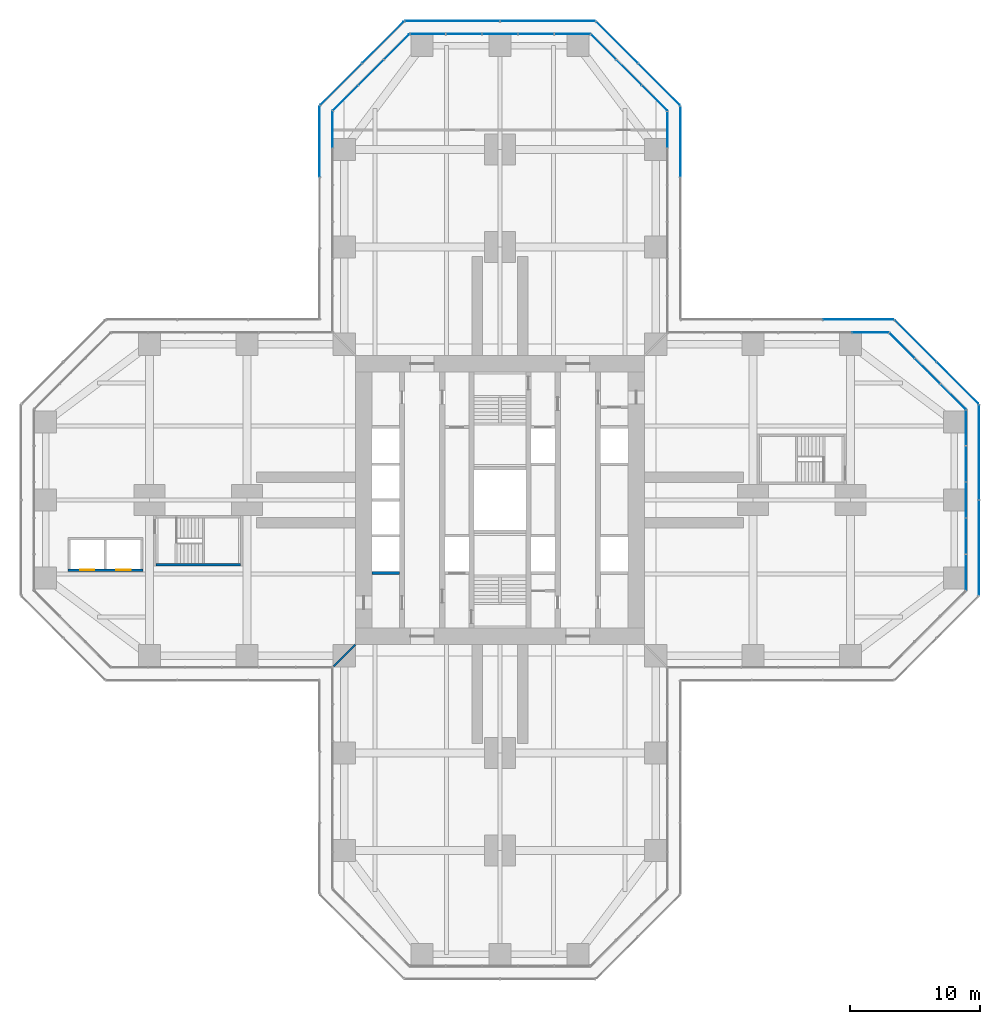
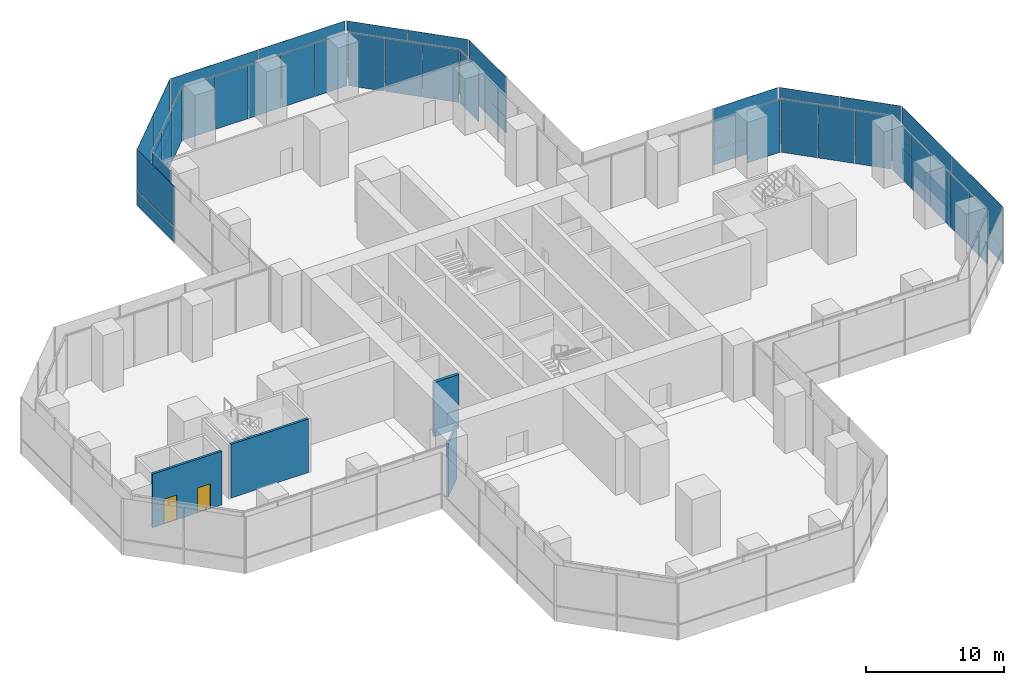
# One storey, part 16 of 23: 48 plates, 4 walls, 2 doors, 2 openings, 16 elements without a shape of their own.
"""IFC4 building model written with IfcOpenShell, lengths in metres."""

from ifc_helpers import new_model, si_unit, direction, frame, frame_2d, origin, origin_2d, place, context, subcontext, project, spatial, rectangle, extrude, material, layer, layer_set, type_object, element, fill, aggregate, save


model = new_model("IFC4")

# Units and contexts
model_context = context("Model", 3, precision=1e-05, world=origin(), true_north=direction((0.0, 1.0)))
body_context = subcontext(model_context, "Body", "Model", "MODEL_VIEW")
ifc_project = project(units=[si_unit("LENGTHUNIT", "METRE"), si_unit("AREAUNIT", "SQUARE_METRE"), si_unit("VOLUMEUNIT", "CUBIC_METRE"), si_unit("PLANEANGLEUNIT", "RADIAN"), si_unit("MASSUNIT", "GRAM", prefix="KILO")], contexts=[model_context])

# Site, building, storey
site_placement = place(None, origin())
site = spatial("IfcSite", under=ifc_project, at=site_placement, CompositionType="ELEMENT")
building_placement = place(site_placement, origin())
building = spatial("IfcBuilding", under=site, at=building_placement, Name="Mizan Broadcast Tower", CompositionType="ELEMENT")
storey_placement = place(building_placement, frame((0.0, 0.0, 28.0)))
storey = spatial("IfcBuildingStorey", under=building, at=storey_placement, Name="L04", CompositionType="ELEMENT", Elevation=28.0)

# Curtain wall, plates
ifc_material_1 = material(Name="Aluminium framed glazing", Category="aluminium")
curtain_wall_type_1 = type_object("IfcCurtainWallType", Name="OUTER SKIN", PredefinedType="USERDEFINED", material=ifc_material_1)
curtain_wall_1_placement = place(storey_placement, origin())
curtain_wall_1 = element("IfcCurtainWall", 1, at=curtain_wall_1_placement, inside=storey, type_object=curtain_wall_type_1, Name="Outer skin L04 E end", ObjectType="OUTER SKIN", PredefinedType="USERDEFINED")
ifc_material_2 = material(Name="Laminated clear glass", Category="glass")
ifc_layer_1 = layer(ifc_material_2, 0.02001953125)
ifc_layer_set_1 = layer_set([ifc_layer_1], Name="Laminated clear glass")
plate_type_1 = type_object("IfcPlateType", Name="OUTER SKIN CLEAR GLASS", PredefinedType="CURTAIN_PANEL", material=ifc_layer_set_1)
plate_1_placement = place(storey_placement, frame((36.89990234375, -3.66650390625, 0.0), z_axis=(0.0, 0.0, 1.0), x_axis=(0.0, 1.0, 0.0)))
plate_1 = element("IfcPlate", 2, at=plate_1_placement, type_object=plate_type_1, Name="Outer skin L04 E end panel 1.1", PredefinedType="CURTAIN_PANEL", context=body_context, shape_type="SweptSolid", body=[
    extrude(rectangle(XDim=7.252685546875, YDim=0.02001953125, at=origin_2d()), origin(), (0.0, 0.0, 1.0), 1.3701171875),
])
plate_2_placement = place(storey_placement, frame((36.89990234375, -3.66650390625, 1.43017578125), z_axis=(0.0, 0.0, 1.0), x_axis=(0.0, 1.0, 0.0)))
plate_2 = element("IfcPlate", 3, at=plate_2_placement, type_object=plate_type_1, Name="Outer skin L04 E end panel 1.2", PredefinedType="CURTAIN_PANEL", context=body_context, shape_type="SweptSolid", body=[
    extrude(rectangle(XDim=7.252685546875, YDim=0.02001953125, at=origin_2d()), origin(), (0.0, 0.0, 1.0), 3.570068359375),
])

curtain_wall_2_placement = place(storey_placement, origin())
curtain_wall_2 = element("IfcCurtainWall", 4, at=curtain_wall_2_placement, inside=storey, type_object=curtain_wall_type_1, Name="Outer skin L04 E chamfer", ObjectType="OUTER SKIN", PredefinedType="USERDEFINED")
plate_3_placement = place(storey_placement, frame((35.254150390625, 9.018798828125, 0.0), z_axis=(0.0, 0.0, 1.0), x_axis=(-0.707106781187, 0.707106781187, 0.0)))
plate_3 = element("IfcPlate", 5, at=plate_3_placement, type_object=plate_type_1, Name="Outer skin L04 E chamfer panel 1.1", PredefinedType="CURTAIN_PANEL", context=body_context, shape_type="SweptSolid", body=[
    extrude(rectangle(XDim=4.495361328125, YDim=0.02001953125, at=origin_2d()), origin(), (0.0, 0.0, 1.0), 1.3701171875),
])
plate_4_placement = place(storey_placement, frame((35.254150390625, 9.018798828125, 1.43017578125), z_axis=(0.0, 0.0, 1.0), x_axis=(-0.707106781187, 0.707106781187, 0.0)))
plate_4 = element("IfcPlate", 6, at=plate_4_placement, type_object=plate_type_1, Name="Outer skin L04 E chamfer panel 1.2", PredefinedType="CURTAIN_PANEL", context=body_context, shape_type="SweptSolid", body=[
    extrude(rectangle(XDim=4.495361328125, YDim=0.02001953125, at=origin_2d()), origin(), (0.0, 0.0, 1.0), 3.570068359375),
])

curtain_wall_3_placement = place(storey_placement, origin())
curtain_wall_3 = element("IfcCurtainWall", 7, at=curtain_wall_3_placement, inside=storey, type_object=curtain_wall_type_1, Name="Outer skin L04 E side", ObjectType="OUTER SKIN", PredefinedType="USERDEFINED")
plate_5_placement = place(storey_placement, frame((27.607421875, 13.89990234375, 0.0), z_axis=(0.0, 0.0, 1.0), x_axis=(-1.0, 0.0, 0.0)))
plate_5 = element("IfcPlate", 8, at=plate_5_placement, type_object=plate_type_1, Name="Outer skin L04 E side panel 1.1", PredefinedType="CURTAIN_PANEL", context=body_context, shape_type="SweptSolid", body=[
    extrude(rectangle(XDim=5.370849609375, YDim=0.02001953125, at=origin_2d()), origin(), (0.0, 0.0, 1.0), 1.3701171875),
])
plate_6_placement = place(storey_placement, frame((27.607421875, 13.89990234375, 1.43017578125), z_axis=(0.0, 0.0, 1.0), x_axis=(-1.0, 0.0, 0.0)))
plate_6 = element("IfcPlate", 9, at=plate_6_placement, type_object=plate_type_1, Name="Outer skin L04 E side panel 1.2", PredefinedType="CURTAIN_PANEL", context=body_context, shape_type="SweptSolid", body=[
    extrude(rectangle(XDim=5.370849609375, YDim=0.02001953125, at=origin_2d()), origin(), (0.0, 0.0, 1.0), 3.570068359375),
])
aggregate(curtain_wall_3, [plate_5, plate_6])

curtain_wall_4_placement = place(storey_placement, origin())
curtain_wall_4 = element("IfcCurtainWall", 10, at=curtain_wall_4_placement, inside=storey, type_object=curtain_wall_type_1, Name="Outer skin L04 N side", ObjectType="OUTER SKIN", PredefinedType="USERDEFINED")
plate_7_placement = place(storey_placement, frame((13.89990234375, 27.607421875, 0.0), z_axis=(0.0, 0.0, 1.0), x_axis=(0.0, 1.0, 0.0)))
plate_7 = element("IfcPlate", 11, at=plate_7_placement, type_object=plate_type_1, Name="Outer skin L04 N side panel 3.1", PredefinedType="CURTAIN_PANEL", context=body_context, shape_type="SweptSolid", body=[
    extrude(rectangle(XDim=5.370849609375, YDim=0.02001953125, at=origin_2d()), origin(), (0.0, 0.0, 1.0), 1.3701171875),
])
plate_8_placement = place(storey_placement, frame((13.89990234375, 27.607421875, 1.43017578125), z_axis=(0.0, 0.0, 1.0), x_axis=(0.0, 1.0, 0.0)))
plate_8 = element("IfcPlate", 12, at=plate_8_placement, type_object=plate_type_1, Name="Outer skin L04 N side panel 3.2", PredefinedType="CURTAIN_PANEL", context=body_context, shape_type="SweptSolid", body=[
    extrude(rectangle(XDim=5.370849609375, YDim=0.02001953125, at=origin_2d()), origin(), (0.0, 0.0, 1.0), 3.570068359375),
])
aggregate(curtain_wall_4, [plate_7, plate_8])

curtain_wall_5_placement = place(storey_placement, origin())
curtain_wall_5 = element("IfcCurtainWall", 13, at=curtain_wall_5_placement, inside=storey, type_object=curtain_wall_type_1, Name="Outer skin L04 N chamfer", ObjectType="OUTER SKIN", PredefinedType="USERDEFINED")
plate_9_placement = place(storey_placement, frame((12.254150390625, 32.018798828125, 0.0), z_axis=(0.0, 0.0, 1.0), x_axis=(-0.707106781187, 0.707106781187, 0.0)))
plate_9 = element("IfcPlate", 14, at=plate_9_placement, type_object=plate_type_1, Name="Outer skin L04 N chamfer panel 1.1", PredefinedType="CURTAIN_PANEL", context=body_context, shape_type="SweptSolid", body=[
    extrude(rectangle(XDim=4.495361328125, YDim=0.02001953125, at=origin_2d()), origin(), (0.0, 0.0, 1.0), 1.3701171875),
])
plate_10_placement = place(storey_placement, frame((12.254150390625, 32.018798828125, 1.43017578125), z_axis=(0.0, 0.0, 1.0), x_axis=(-0.707106781187, 0.707106781187, 0.0)))
plate_10 = element("IfcPlate", 15, at=plate_10_placement, type_object=plate_type_1, Name="Outer skin L04 N chamfer panel 1.2", PredefinedType="CURTAIN_PANEL", context=body_context, shape_type="SweptSolid", body=[
    extrude(rectangle(XDim=4.495361328125, YDim=0.02001953125, at=origin_2d()), origin(), (0.0, 0.0, 1.0), 3.570068359375),
])

curtain_wall_6_placement = place(storey_placement, origin())
curtain_wall_6 = element("IfcCurtainWall", 16, at=curtain_wall_6_placement, inside=storey, type_object=curtain_wall_type_1, Name="Outer skin L04 N end", ObjectType="OUTER SKIN", PredefinedType="USERDEFINED")
plate_11_placement = place(storey_placement, frame((3.66650390625, 36.89990234375, 0.0), z_axis=(0.0, 0.0, 1.0), x_axis=(-1.0, 0.0, 0.0)))
plate_11 = element("IfcPlate", 17, at=plate_11_placement, type_object=plate_type_1, Name="Outer skin L04 N end panel 1.1", PredefinedType="CURTAIN_PANEL", context=body_context, shape_type="SweptSolid", body=[
    extrude(rectangle(XDim=7.252685546875, YDim=0.02001953125, at=origin_2d()), origin(), (0.0, 0.0, 1.0), 1.3701171875),
])
plate_12_placement = place(storey_placement, frame((3.66650390625, 36.89990234375, 1.43017578125), z_axis=(0.0, 0.0, 1.0), x_axis=(-1.0, 0.0, 0.0)))
plate_12 = element("IfcPlate", 18, at=plate_12_placement, type_object=plate_type_1, Name="Outer skin L04 N end panel 1.2", PredefinedType="CURTAIN_PANEL", context=body_context, shape_type="SweptSolid", body=[
    extrude(rectangle(XDim=7.252685546875, YDim=0.02001953125, at=origin_2d()), origin(), (0.0, 0.0, 1.0), 3.570068359375),
])
plate_13_placement = place(storey_placement, frame((-3.66650390625, 36.89990234375, 0.0), z_axis=(0.0, 0.0, 1.0), x_axis=(-1.0, 0.0, 0.0)))
plate_13 = element("IfcPlate", 19, at=plate_13_placement, type_object=plate_type_1, Name="Outer skin L04 N end panel 2.1", PredefinedType="CURTAIN_PANEL", context=body_context, shape_type="SweptSolid", body=[
    extrude(rectangle(XDim=7.252685546875, YDim=0.02001953125, at=origin_2d()), origin(), (0.0, 0.0, 1.0), 1.3701171875),
])
plate_14_placement = place(storey_placement, frame((-3.66650390625, 36.89990234375, 1.43017578125), z_axis=(0.0, 0.0, 1.0), x_axis=(-1.0, 0.0, 0.0)))
plate_14 = element("IfcPlate", 20, at=plate_14_placement, type_object=plate_type_1, Name="Outer skin L04 N end panel 2.2", PredefinedType="CURTAIN_PANEL", context=body_context, shape_type="SweptSolid", body=[
    extrude(rectangle(XDim=7.252685546875, YDim=0.02001953125, at=origin_2d()), origin(), (0.0, 0.0, 1.0), 3.570068359375),
])
aggregate(curtain_wall_6, [plate_11, plate_12, plate_13, plate_14])

curtain_wall_7_placement = place(storey_placement, origin())
curtain_wall_7 = element("IfcCurtainWall", 21, at=curtain_wall_7_placement, inside=storey, type_object=curtain_wall_type_1, Name="Outer skin L04 N chamfer", ObjectType="OUTER SKIN", PredefinedType="USERDEFINED")
plate_15_placement = place(storey_placement, frame((-9.018798828125, 35.254150390625, 0.0), z_axis=(0.0, 0.0, 1.0), x_axis=(-0.707106781187, -0.707106781187, 0.0)))
plate_15 = element("IfcPlate", 22, at=plate_15_placement, type_object=plate_type_1, Name="Outer skin L04 N chamfer panel 1.1", PredefinedType="CURTAIN_PANEL", context=body_context, shape_type="SweptSolid", body=[
    extrude(rectangle(XDim=4.495361328125, YDim=0.02001953125, at=origin_2d()), origin(), (0.0, 0.0, 1.0), 1.3701171875),
])
plate_16_placement = place(storey_placement, frame((-9.018798828125, 35.254150390625, 1.43017578125), z_axis=(0.0, 0.0, 1.0), x_axis=(-0.707106781187, -0.707106781187, 0.0)))
plate_16 = element("IfcPlate", 23, at=plate_16_placement, type_object=plate_type_1, Name="Outer skin L04 N chamfer panel 1.2", PredefinedType="CURTAIN_PANEL", context=body_context, shape_type="SweptSolid", body=[
    extrude(rectangle(XDim=4.495361328125, YDim=0.02001953125, at=origin_2d()), origin(), (0.0, 0.0, 1.0), 3.570068359375),
])

curtain_wall_8_placement = place(storey_placement, origin())
curtain_wall_8 = element("IfcCurtainWall", 24, at=curtain_wall_8_placement, inside=storey, type_object=curtain_wall_type_1, Name="Outer skin L04 N side", ObjectType="OUTER SKIN", PredefinedType="USERDEFINED")
plate_17_placement = place(storey_placement, frame((-13.89990234375, 27.607421875, 0.0), z_axis=(0.0, 0.0, 1.0), x_axis=(0.0, -1.0, 0.0)))
plate_17 = element("IfcPlate", 25, at=plate_17_placement, type_object=plate_type_1, Name="Outer skin L04 N side panel 1.1", PredefinedType="CURTAIN_PANEL", context=body_context, shape_type="SweptSolid", body=[
    extrude(rectangle(XDim=5.370849609375, YDim=0.02001953125, at=origin_2d()), origin(), (0.0, 0.0, 1.0), 1.3701171875),
])
plate_18_placement = place(storey_placement, frame((-13.89990234375, 27.607421875, 1.43017578125), z_axis=(0.0, 0.0, 1.0), x_axis=(0.0, -1.0, 0.0)))
plate_18 = element("IfcPlate", 26, at=plate_18_placement, type_object=plate_type_1, Name="Outer skin L04 N side panel 1.2", PredefinedType="CURTAIN_PANEL", context=body_context, shape_type="SweptSolid", body=[
    extrude(rectangle(XDim=5.370849609375, YDim=0.02001953125, at=origin_2d()), origin(), (0.0, 0.0, 1.0), 3.570068359375),
])
aggregate(curtain_wall_8, [plate_17, plate_18])

# Plate
ifc_material_3 = material(Name="Perforated aluminium, pale anodised", Category="aluminium")
ifc_layer_2 = layer(ifc_material_3, 0.011962890625)
ifc_layer_set_2 = layer_set([ifc_layer_2], Name="Perforated aluminium, pale anodised")
plate_type_2 = type_object("IfcPlateType", Name="OUTER SKIN PERFORATED SCREEN", PredefinedType="USERDEFINED", material=ifc_layer_set_2)
plate_19_placement = place(storey_placement, frame((36.89990234375, 3.66650390625, 0.0), z_axis=(0.0, 0.0, 1.0), x_axis=(0.0, 1.0, 0.0)))
plate_19 = element("IfcPlate", 27, at=plate_19_placement, type_object=plate_type_2, Name="Outer skin L04 E end panel 2.1", ObjectType="SCREEN", PredefinedType="USERDEFINED", context=body_context, shape_type="SweptSolid", body=[
    extrude(rectangle(XDim=7.252685546875, YDim=0.011962890625, at=origin_2d()), origin(), (0.0, 0.0, 1.0), 1.3701171875),
])

plate_20_placement = place(storey_placement, frame((36.89990234375, 3.66650390625, 1.43017578125), z_axis=(0.0, 0.0, 1.0), x_axis=(0.0, 1.0, 0.0)))
plate_20 = element("IfcPlate", 28, at=plate_20_placement, type_object=plate_type_2, Name="Outer skin L04 E end panel 2.2", ObjectType="SCREEN", PredefinedType="USERDEFINED", context=body_context, shape_type="SweptSolid", body=[
    extrude(rectangle(XDim=7.252685546875, YDim=0.011962890625, at=origin_2d()), origin(), (0.0, 0.0, 1.0), 3.570068359375),
])

aggregate(curtain_wall_1, [plate_1, plate_2, plate_19, plate_20])

plate_21_placement = place(storey_placement, frame((32.018798828125, 12.254150390625, 0.0), z_axis=(0.0, 0.0, 1.0), x_axis=(-0.707106781187, 0.707106781187, 0.0)))
plate_21 = element("IfcPlate", 29, at=plate_21_placement, type_object=plate_type_2, Name="Outer skin L04 E chamfer panel 2.1", ObjectType="SCREEN", PredefinedType="USERDEFINED", context=body_context, shape_type="SweptSolid", body=[
    extrude(rectangle(XDim=4.495361328125, YDim=0.011962890625, at=origin_2d()), origin(), (0.0, 0.0, 1.0), 1.3701171875),
])

plate_22_placement = place(storey_placement, frame((32.018798828125, 12.254150390625, 1.43017578125), z_axis=(0.0, 0.0, 1.0), x_axis=(-0.707106781187, 0.707106781187, 0.0)))
plate_22 = element("IfcPlate", 30, at=plate_22_placement, type_object=plate_type_2, Name="Outer skin L04 E chamfer panel 2.2", ObjectType="SCREEN", PredefinedType="USERDEFINED", context=body_context, shape_type="SweptSolid", body=[
    extrude(rectangle(XDim=4.495361328125, YDim=0.011962890625, at=origin_2d()), origin(), (0.0, 0.0, 1.0), 3.570068359375),
])

aggregate(curtain_wall_2, [plate_3, plate_4, plate_21, plate_22])

plate_23_placement = place(storey_placement, frame((9.018798828125, 35.254150390625, 0.0), z_axis=(0.0, 0.0, 1.0), x_axis=(-0.707106781187, 0.707106781187, 0.0)))
plate_23 = element("IfcPlate", 31, at=plate_23_placement, type_object=plate_type_2, Name="Outer skin L04 N chamfer panel 2.1", ObjectType="SCREEN", PredefinedType="USERDEFINED", context=body_context, shape_type="SweptSolid", body=[
    extrude(rectangle(XDim=4.495361328125, YDim=0.011962890625, at=origin_2d()), origin(), (0.0, 0.0, 1.0), 1.3701171875),
])

plate_24_placement = place(storey_placement, frame((9.018798828125, 35.254150390625, 1.43017578125), z_axis=(0.0, 0.0, 1.0), x_axis=(-0.707106781187, 0.707106781187, 0.0)))
plate_24 = element("IfcPlate", 32, at=plate_24_placement, type_object=plate_type_2, Name="Outer skin L04 N chamfer panel 2.2", ObjectType="SCREEN", PredefinedType="USERDEFINED", context=body_context, shape_type="SweptSolid", body=[
    extrude(rectangle(XDim=4.495361328125, YDim=0.011962890625, at=origin_2d()), origin(), (0.0, 0.0, 1.0), 3.570068359375),
])

aggregate(curtain_wall_5, [plate_9, plate_10, plate_23, plate_24])

plate_25_placement = place(storey_placement, frame((-12.254150390625, 32.018798828125, 0.0), z_axis=(0.0, 0.0, 1.0), x_axis=(-0.707106781187, -0.707106781187, 0.0)))
plate_25 = element("IfcPlate", 33, at=plate_25_placement, type_object=plate_type_2, Name="Outer skin L04 N chamfer panel 2.1", ObjectType="SCREEN", PredefinedType="USERDEFINED", context=body_context, shape_type="SweptSolid", body=[
    extrude(rectangle(XDim=4.495361328125, YDim=0.011962890625, at=origin_2d()), origin(), (0.0, 0.0, 1.0), 1.3701171875),
])

plate_26_placement = place(storey_placement, frame((-12.254150390625, 32.018798828125, 1.43017578125), z_axis=(0.0, 0.0, 1.0), x_axis=(-0.707106781187, -0.707106781187, 0.0)))
plate_26 = element("IfcPlate", 34, at=plate_26_placement, type_object=plate_type_2, Name="Outer skin L04 N chamfer panel 2.2", ObjectType="SCREEN", PredefinedType="USERDEFINED", context=body_context, shape_type="SweptSolid", body=[
    extrude(rectangle(XDim=4.495361328125, YDim=0.011962890625, at=origin_2d()), origin(), (0.0, 0.0, 1.0), 3.570068359375),
])

aggregate(curtain_wall_7, [plate_15, plate_16, plate_25, plate_26])

# Curtain wall, plates
ifc_material_4 = material(Name="Aluminium framed glazing", Category="aluminium")
curtain_wall_type_2 = type_object("IfcCurtainWallType", Name="PODIUM CURTAIN WALL", PredefinedType="USERDEFINED", material=ifc_material_4)
curtain_wall_9_placement = place(storey_placement, origin())
curtain_wall_9 = element("IfcCurtainWall", 35, at=curtain_wall_9_placement, inside=storey, type_object=curtain_wall_type_2, Name="Podium curtain wall L04 E end", ObjectType="PODIUM CURTAIN WALL", PredefinedType="USERDEFINED")
ifc_material_5 = material(Name="Double glazing, clear laminated", Category="glass")
ifc_layer_3 = layer(ifc_material_5, 0.031982421875)
ifc_layer_set_3 = layer_set([ifc_layer_3], Name="Double glazing, clear laminated")
plate_type_3 = type_object("IfcPlateType", Name="PODIUM GLAZING UNIT", PredefinedType="CURTAIN_PANEL", material=ifc_layer_set_3)
plate_27_placement = place(storey_placement, frame((35.89990234375, -5.5517578125, 0.0), z_axis=(0.0, 0.0, 1.0), x_axis=(0.0, 1.0, 0.0)))
plate_27 = element("IfcPlate", 36, at=plate_27_placement, type_object=plate_type_3, Name="Podium curtain wall L04 E end panel 1.1", PredefinedType="CURTAIN_PANEL", context=body_context, shape_type="SweptSolid", body=[
    extrude(rectangle(XDim=2.693359375, YDim=0.031982421875, at=origin_2d()), origin(), (0.0, 0.0, 1.0), 4.68994140625),
])
plate_28_placement = place(storey_placement, frame((35.89990234375, -2.783447265625, 0.0), z_axis=(0.0, 0.0, 1.0), x_axis=(0.0, 1.0, 0.0)))
plate_28 = element("IfcPlate", 37, at=plate_28_placement, type_object=plate_type_3, Name="Podium curtain wall L04 E end panel 2.1", PredefinedType="CURTAIN_PANEL", context=body_context, shape_type="SweptSolid", body=[
    extrude(rectangle(XDim=2.723388671875, YDim=0.031982421875, at=origin_2d()), origin(), (0.0, 0.0, 1.0), 4.68994140625),
])
plate_29_placement = place(storey_placement, frame((35.89990234375, 0.0, 0.0), z_axis=(0.0, 0.0, 1.0), x_axis=(0.0, 1.0, 0.0)))
plate_29 = element("IfcPlate", 38, at=plate_29_placement, type_object=plate_type_3, Name="Podium curtain wall L04 E end panel 3.1", PredefinedType="CURTAIN_PANEL", context=body_context, shape_type="SweptSolid", body=[
    extrude(rectangle(XDim=2.723388671875, YDim=0.031982421875, at=origin_2d()), origin(), (0.0, 0.0, 1.0), 4.68994140625),
])
plate_30_placement = place(storey_placement, frame((35.89990234375, 2.783447265625, 0.0), z_axis=(0.0, 0.0, 1.0), x_axis=(0.0, 1.0, 0.0)))
plate_30 = element("IfcPlate", 39, at=plate_30_placement, type_object=plate_type_3, Name="Podium curtain wall L04 E end panel 4.1", PredefinedType="CURTAIN_PANEL", context=body_context, shape_type="SweptSolid", body=[
    extrude(rectangle(XDim=2.723388671875, YDim=0.031982421875, at=origin_2d()), origin(), (0.0, 0.0, 1.0), 4.68994140625),
])
plate_31_placement = place(storey_placement, frame((35.89990234375, 5.5517578125, 0.0), z_axis=(0.0, 0.0, 1.0), x_axis=(0.0, 1.0, 0.0)))
plate_31 = element("IfcPlate", 40, at=plate_31_placement, type_object=plate_type_3, Name="Podium curtain wall L04 E end panel 5.1", PredefinedType="CURTAIN_PANEL", context=body_context, shape_type="SweptSolid", body=[
    extrude(rectangle(XDim=2.693359375, YDim=0.031982421875, at=origin_2d()), origin(), (0.0, 0.0, 1.0), 4.68994140625),
])
aggregate(curtain_wall_9, [plate_27, plate_28, plate_29, plate_30, plate_31])

curtain_wall_10_placement = place(storey_placement, origin())
curtain_wall_10 = element("IfcCurtainWall", 41, at=curtain_wall_10_placement, inside=storey, type_object=curtain_wall_type_2, Name="Podium curtain wall L04 E chamfer", ObjectType="PODIUM CURTAIN WALL", PredefinedType="USERDEFINED")
plate_32_placement = place(storey_placement, frame((34.899169921875, 7.95947265625, 0.0), z_axis=(0.0, 0.0, 1.0), x_axis=(-0.707106781187, 0.707106781187, 0.0)))
plate_32 = element("IfcPlate", 42, at=plate_32_placement, type_object=plate_type_3, Name="Podium curtain wall L04 E chamfer panel 1.1", PredefinedType="CURTAIN_PANEL", context=body_context, shape_type="SweptSolid", body=[
    extrude(rectangle(XDim=2.710693359375, YDim=0.031982421875, at=origin_2d()), origin(), (0.0, 0.0, 1.0), 4.68994140625),
])
plate_33_placement = place(storey_placement, frame((32.92919921875, 9.92919921875, 0.0), z_axis=(0.0, 0.0, 1.0), x_axis=(-0.707106781187, 0.707106781187, 0.0)))
plate_33 = element("IfcPlate", 43, at=plate_33_placement, type_object=plate_type_3, Name="Podium curtain wall L04 E chamfer panel 2.1", PredefinedType="CURTAIN_PANEL", context=body_context, shape_type="SweptSolid", body=[
    extrude(rectangle(XDim=2.74072265625, YDim=0.031982421875, at=origin_2d()), origin(), (0.0, 0.0, 1.0), 4.68994140625),
])
plate_34_placement = place(storey_placement, frame((30.95947265625, 11.899169921875, 0.0), z_axis=(0.0, 0.0, 1.0), x_axis=(-0.707106781187, 0.707106781187, 0.0)))
plate_34 = element("IfcPlate", 44, at=plate_34_placement, type_object=plate_type_3, Name="Podium curtain wall L04 E chamfer panel 3.1", PredefinedType="CURTAIN_PANEL", context=body_context, shape_type="SweptSolid", body=[
    extrude(rectangle(XDim=2.710693359375, YDim=0.031982421875, at=origin_2d()), origin(), (0.0, 0.0, 1.0), 4.68994140625),
])
aggregate(curtain_wall_10, [plate_32, plate_33, plate_34])

# Curtain wall, plate
curtain_wall_11_placement = place(storey_placement, origin())
curtain_wall_11 = element("IfcCurtainWall", 45, at=curtain_wall_11_placement, inside=storey, type_object=curtain_wall_type_2, Name="Podium curtain wall L04 E side", ObjectType="PODIUM CURTAIN WALL", PredefinedType="USERDEFINED")
plate_35_placement = place(storey_placement, frame((28.52197265625, 12.89990234375, 0.0), z_axis=(0.0, 0.0, 1.0), x_axis=(-1.0, 0.0, 0.0)))
plate_35 = element("IfcPlate", 46, at=plate_35_placement, type_object=plate_type_3, Name="Podium curtain wall L04 E side panel 1.1", PredefinedType="CURTAIN_PANEL", context=body_context, shape_type="SweptSolid", body=[
    extrude(rectangle(XDim=2.753173828125, YDim=0.031982421875, at=origin_2d()), origin(), (0.0, 0.0, 1.0), 4.68994140625),
])
aggregate(curtain_wall_11, [plate_35])

curtain_wall_12_placement = place(storey_placement, origin())
curtain_wall_12 = element("IfcCurtainWall", 47, at=curtain_wall_12_placement, inside=storey, type_object=curtain_wall_type_2, Name="Podium curtain wall L04 N side", ObjectType="PODIUM CURTAIN WALL", PredefinedType="USERDEFINED")
plate_36_placement = place(storey_placement, frame((12.89990234375, 28.52197265625, 0.0), z_axis=(0.0, 0.0, 1.0), x_axis=(0.0, 1.0, 0.0)))
plate_36 = element("IfcPlate", 48, at=plate_36_placement, type_object=plate_type_3, Name="Podium curtain wall L04 N side panel 6.1", PredefinedType="CURTAIN_PANEL", context=body_context, shape_type="SweptSolid", body=[
    extrude(rectangle(XDim=2.753173828125, YDim=0.031982421875, at=origin_2d()), origin(), (0.0, 0.0, 1.0), 4.68994140625),
])
aggregate(curtain_wall_12, [plate_36])

# Curtain wall, plates
curtain_wall_13_placement = place(storey_placement, origin())
curtain_wall_13 = element("IfcCurtainWall", 49, at=curtain_wall_13_placement, inside=storey, type_object=curtain_wall_type_2, Name="Podium curtain wall L04 N chamfer", ObjectType="PODIUM CURTAIN WALL", PredefinedType="USERDEFINED")
plate_37_placement = place(storey_placement, frame((11.899169921875, 30.95947265625, 0.0), z_axis=(0.0, 0.0, 1.0), x_axis=(-0.707106781187, 0.707106781187, 0.0)))
plate_37 = element("IfcPlate", 50, at=plate_37_placement, type_object=plate_type_3, Name="Podium curtain wall L04 N chamfer panel 1.1", PredefinedType="CURTAIN_PANEL", context=body_context, shape_type="SweptSolid", body=[
    extrude(rectangle(XDim=2.710693359375, YDim=0.031982421875, at=origin_2d()), origin(), (0.0, 0.0, 1.0), 4.68994140625),
])
plate_38_placement = place(storey_placement, frame((9.92919921875, 32.92919921875, 0.0), z_axis=(0.0, 0.0, 1.0), x_axis=(-0.707106781187, 0.707106781187, 0.0)))
plate_38 = element("IfcPlate", 51, at=plate_38_placement, type_object=plate_type_3, Name="Podium curtain wall L04 N chamfer panel 2.1", PredefinedType="CURTAIN_PANEL", context=body_context, shape_type="SweptSolid", body=[
    extrude(rectangle(XDim=2.74072265625, YDim=0.031982421875, at=origin_2d()), origin(), (0.0, 0.0, 1.0), 4.68994140625),
])
plate_39_placement = place(storey_placement, frame((7.95947265625, 34.899169921875, 0.0), z_axis=(0.0, 0.0, 1.0), x_axis=(-0.707106781187, 0.707106781187, 0.0)))
plate_39 = element("IfcPlate", 52, at=plate_39_placement, type_object=plate_type_3, Name="Podium curtain wall L04 N chamfer panel 3.1", PredefinedType="CURTAIN_PANEL", context=body_context, shape_type="SweptSolid", body=[
    extrude(rectangle(XDim=2.710693359375, YDim=0.031982421875, at=origin_2d()), origin(), (0.0, 0.0, 1.0), 4.68994140625),
])
aggregate(curtain_wall_13, [plate_37, plate_38, plate_39])

curtain_wall_14_placement = place(storey_placement, origin())
curtain_wall_14 = element("IfcCurtainWall", 53, at=curtain_wall_14_placement, inside=storey, type_object=curtain_wall_type_2, Name="Podium curtain wall L04 N end", ObjectType="PODIUM CURTAIN WALL", PredefinedType="USERDEFINED")
plate_40_placement = place(storey_placement, frame((5.5517578125, 35.89990234375, 0.0), z_axis=(0.0, 0.0, 1.0), x_axis=(-1.0, 0.0, 0.0)))
plate_40 = element("IfcPlate", 54, at=plate_40_placement, type_object=plate_type_3, Name="Podium curtain wall L04 N end panel 1.1", PredefinedType="CURTAIN_PANEL", context=body_context, shape_type="SweptSolid", body=[
    extrude(rectangle(XDim=2.693359375, YDim=0.031982421875, at=origin_2d()), origin(), (0.0, 0.0, 1.0), 4.68994140625),
])
plate_41_placement = place(storey_placement, frame((2.783447265625, 35.89990234375, 0.0), z_axis=(0.0, 0.0, 1.0), x_axis=(-1.0, 0.0, 0.0)))
plate_41 = element("IfcPlate", 55, at=plate_41_placement, type_object=plate_type_3, Name="Podium curtain wall L04 N end panel 2.1", PredefinedType="CURTAIN_PANEL", context=body_context, shape_type="SweptSolid", body=[
    extrude(rectangle(XDim=2.723388671875, YDim=0.031982421875, at=origin_2d()), origin(), (0.0, 0.0, 1.0), 4.68994140625),
])
plate_42_placement = place(storey_placement, frame((0.0, 35.89990234375, 0.0), z_axis=(0.0, 0.0, 1.0), x_axis=(-1.0, 0.0, 0.0)))
plate_42 = element("IfcPlate", 56, at=plate_42_placement, type_object=plate_type_3, Name="Podium curtain wall L04 N end panel 3.1", PredefinedType="CURTAIN_PANEL", context=body_context, shape_type="SweptSolid", body=[
    extrude(rectangle(XDim=2.723388671875, YDim=0.031982421875, at=origin_2d()), origin(), (0.0, 0.0, 1.0), 4.68994140625),
])
plate_43_placement = place(storey_placement, frame((-2.783447265625, 35.89990234375, 0.0), z_axis=(0.0, 0.0, 1.0), x_axis=(-1.0, 0.0, 0.0)))
plate_43 = element("IfcPlate", 57, at=plate_43_placement, type_object=plate_type_3, Name="Podium curtain wall L04 N end panel 4.1", PredefinedType="CURTAIN_PANEL", context=body_context, shape_type="SweptSolid", body=[
    extrude(rectangle(XDim=2.723388671875, YDim=0.031982421875, at=origin_2d()), origin(), (0.0, 0.0, 1.0), 4.68994140625),
])
plate_44_placement = place(storey_placement, frame((-5.5517578125, 35.89990234375, 0.0), z_axis=(0.0, 0.0, 1.0), x_axis=(-1.0, 0.0, 0.0)))
plate_44 = element("IfcPlate", 58, at=plate_44_placement, type_object=plate_type_3, Name="Podium curtain wall L04 N end panel 5.1", PredefinedType="CURTAIN_PANEL", context=body_context, shape_type="SweptSolid", body=[
    extrude(rectangle(XDim=2.693359375, YDim=0.031982421875, at=origin_2d()), origin(), (0.0, 0.0, 1.0), 4.68994140625),
])
aggregate(curtain_wall_14, [plate_40, plate_41, plate_42, plate_43, plate_44])

curtain_wall_15_placement = place(storey_placement, origin())
curtain_wall_15 = element("IfcCurtainWall", 59, at=curtain_wall_15_placement, inside=storey, type_object=curtain_wall_type_2, Name="Podium curtain wall L04 N chamfer", ObjectType="PODIUM CURTAIN WALL", PredefinedType="USERDEFINED")
plate_45_placement = place(storey_placement, frame((-7.95947265625, 34.899169921875, 0.0), z_axis=(0.0, 0.0, 1.0), x_axis=(-0.707106781187, -0.707106781187, 0.0)))
plate_45 = element("IfcPlate", 60, at=plate_45_placement, type_object=plate_type_3, Name="Podium curtain wall L04 N chamfer panel 1.1", PredefinedType="CURTAIN_PANEL", context=body_context, shape_type="SweptSolid", body=[
    extrude(rectangle(XDim=2.710693359375, YDim=0.031982421875, at=origin_2d()), origin(), (0.0, 0.0, 1.0), 4.68994140625),
])
plate_46_placement = place(storey_placement, frame((-9.92919921875, 32.92919921875, 0.0), z_axis=(0.0, 0.0, 1.0), x_axis=(-0.707106781187, -0.707106781187, 0.0)))
plate_46 = element("IfcPlate", 61, at=plate_46_placement, type_object=plate_type_3, Name="Podium curtain wall L04 N chamfer panel 2.1", PredefinedType="CURTAIN_PANEL", context=body_context, shape_type="SweptSolid", body=[
    extrude(rectangle(XDim=2.74072265625, YDim=0.031982421875, at=origin_2d()), origin(), (0.0, 0.0, 1.0), 4.68994140625),
])
plate_47_placement = place(storey_placement, frame((-11.899169921875, 30.95947265625, 0.0), z_axis=(0.0, 0.0, 1.0), x_axis=(-0.707106781187, -0.707106781187, 0.0)))
plate_47 = element("IfcPlate", 62, at=plate_47_placement, type_object=plate_type_3, Name="Podium curtain wall L04 N chamfer panel 3.1", PredefinedType="CURTAIN_PANEL", context=body_context, shape_type="SweptSolid", body=[
    extrude(rectangle(XDim=2.710693359375, YDim=0.031982421875, at=origin_2d()), origin(), (0.0, 0.0, 1.0), 4.68994140625),
])
aggregate(curtain_wall_15, [plate_45, plate_46, plate_47])

# Curtain wall, plate
curtain_wall_16_placement = place(storey_placement, origin())
curtain_wall_16 = element("IfcCurtainWall", 63, at=curtain_wall_16_placement, inside=storey, type_object=curtain_wall_type_2, Name="Podium curtain wall L04 N side", ObjectType="PODIUM CURTAIN WALL", PredefinedType="USERDEFINED")
plate_48_placement = place(storey_placement, frame((-12.89990234375, 28.52197265625, 0.0), z_axis=(0.0, 0.0, 1.0), x_axis=(0.0, -1.0, 0.0)))
plate_48 = element("IfcPlate", 64, at=plate_48_placement, type_object=plate_type_3, Name="Podium curtain wall L04 N side panel 1.1", PredefinedType="CURTAIN_PANEL", context=body_context, shape_type="SweptSolid", body=[
    extrude(rectangle(XDim=2.753173828125, YDim=0.031982421875, at=origin_2d()), origin(), (0.0, 0.0, 1.0), 4.68994140625),
])
aggregate(curtain_wall_16, [plate_48])

# Wall, openings, doors
ifc_material_6 = material(Name="Concrete blockwork", Category="masonry")
ifc_layer_4 = layer(ifc_material_6, 0.199951171875)
ifc_layer_set_4 = layer_set([ifc_layer_4], Name="Concrete blockwork")
wall_type_1 = type_object("IfcWallType", Name="LIFT SHAFT WALL 200", PredefinedType="SOLIDWALL", material=ifc_layer_set_4)
wall_1_placement = place(storey_placement, frame((-33.300048828125, -5.39990234375, 0.0), z_axis=(0.0, 0.0, 1.0), x_axis=(1.0, 0.0, 0.0)))
wall_1 = element("IfcWall", 65, at=wall_1_placement, inside=storey, type_object=wall_type_1, Name="Lift shaft wall PLS/V1", PredefinedType="SOLIDWALL", context=body_context, shape_type="SweptSolid", body=[
    extrude(rectangle(XDim=5.800048828125, YDim=0.199951171875, at=frame_2d((2.89990234375, 0.0))), origin(), (0.0, 0.0, 1.0), 4.75),
])
opening_1_placement = place(wall_1_placement, frame((3.75, 0.0, 0.0)))
opening_1 = element("IfcOpeningElement", 66, at=opening_1_placement, cuts=wall_1, Name="Opening LDP", PredefinedType="OPENING", context=body_context, shape_type="SweptSolid", body=[
    extrude(rectangle(XDim=1.10009765625, YDim=2.199951171875, at=frame_2d((0.550048828125, 1.10009765625))), frame((0.0, 0.10986328125, 0.0), z_axis=(0.0, -1.0, 0.0), x_axis=(1.0, 0.0, 0.0)), (0.0, 0.0, 1.0), 0.219970703125),
])
opening_2_placement = place(wall_1_placement, frame((0.949951171875, 0.0, 0.0)))
opening_2 = element("IfcOpeningElement", 67, at=opening_2_placement, cuts=wall_1, Name="Opening LDP", PredefinedType="OPENING", context=body_context, shape_type="SweptSolid", body=[
    extrude(rectangle(XDim=1.10009765625, YDim=2.199951171875, at=frame_2d((0.550048828125, 1.10009765625))), frame((0.0, 0.10986328125, 0.0), z_axis=(0.0, -1.0, 0.0), x_axis=(1.0, 0.0, 0.0)), (0.0, 0.0, 1.0), 0.219970703125),
])
ifc_material_7 = material(Name="Steel door leaf in steel frame", Category="steel")
door_type = type_object("IfcDoorType", Name="PODIUM LIFT LANDING DOOR 1100", OperationType="SLIDING_TO_LEFT", PredefinedType="DOOR", material=ifc_material_7)
door_1_placement = place(opening_1_placement, origin())
door_1 = element("IfcDoor", 68, at=door_1_placement, inside=storey, type_object=door_type, Name="Landing door PL1", OperationType="SLIDING_TO_LEFT", OverallHeight=2.199951171875, OverallWidth=1.10009765625, PredefinedType="DOOR", context=body_context, shape_type="SweptSolid", body=[
    extrude(rectangle(XDim=1.10009765625, YDim=2.199951171875, at=frame_2d((0.550048828125, 1.10009765625))), frame((0.0, 0.02490234375, 0.0), z_axis=(0.0, -1.0, 0.0), x_axis=(1.0, 0.0, 0.0)), (0.0, 0.0, 1.0), 0.050048828125),
])
fill(opening_1, door_1)
door_2_placement = place(opening_2_placement, origin())
door_2 = element("IfcDoor", 69, at=door_2_placement, inside=storey, type_object=door_type, Name="Landing door PL2", OperationType="SLIDING_TO_LEFT", OverallHeight=2.199951171875, OverallWidth=1.10009765625, PredefinedType="DOOR", context=body_context, shape_type="SweptSolid", body=[
    extrude(rectangle(XDim=1.10009765625, YDim=2.199951171875, at=frame_2d((0.550048828125, 1.10009765625))), frame((0.0, 0.02490234375, 0.0), z_axis=(0.0, -1.0, 0.0), x_axis=(1.0, 0.0, 0.0)), (0.0, 0.0, 1.0), 0.050048828125),
])
fill(opening_2, door_2)

# Walls
ifc_material_8 = material(Name="Concrete blockwork", Category="masonry")
ifc_layer_5 = layer(ifc_material_8, 0.25)
ifc_layer_set_5 = layer_set([ifc_layer_5], Name="Concrete blockwork")
wall_type_2 = type_object("IfcWallType", Name="LOBBY ENCLOSURE WALL 250", PredefinedType="SOLIDWALL", material=ifc_layer_set_5)
wall_2_placement = place(storey_placement, frame((-9.85009765625, -5.625, 0.0), z_axis=(0.0, 0.0, 1.0), x_axis=(1.0, 0.0, 0.0)))
element("IfcWall", 70, at=wall_2_placement, inside=storey, type_object=wall_type_2, Name="Lobby enclosure wall CORE/BW1S", PredefinedType="SOLIDWALL", context=body_context, shape_type="SweptSolid", body=[
    extrude(rectangle(XDim=2.10009765625, YDim=0.25, at=frame_2d((1.050048828125, 0.0))), origin(), (0.0, 0.0, 1.0), 4.800048828125),
])
ifc_material_9 = material(Name="Gypsum board on steel studs", Category="steel")
ifc_layer_6 = layer(ifc_material_9, 0.14990234375)
ifc_layer_set_6 = layer_set([ifc_layer_6], Name="Gypsum board on steel studs")
wall_type_3 = type_object("IfcWallType", Name="PARTITION 150", PredefinedType="PARTITIONING", material=ifc_layer_set_6)
wall_3_placement = place(storey_placement, frame((-11.14990234375, -11.14990234375, 0.0), z_axis=(0.0, 0.0, 1.0), x_axis=(-0.707106781187, -0.707106781187, 0.0)))
element("IfcWall", 71, at=wall_3_placement, inside=storey, type_object=wall_type_3, Name="Partition PT/DGWS", PredefinedType="PARTITIONING", context=body_context, shape_type="SweptSolid", body=[
    extrude(rectangle(XDim=2.362060546875, YDim=0.14990234375, at=frame_2d((1.18115234375, 0.0))), origin(), (0.0, 0.0, 1.0), 4.75),
])
ifc_material_10 = material(Name="Concrete C40/50", Category="concrete")
ifc_layer_7 = layer(ifc_material_10, 0.199951171875)
ifc_layer_set_7 = layer_set([ifc_layer_7], Name="Concrete C40/50")
wall_type_4 = type_object("IfcWallType", Name="STAIR SHAFT WALL 200 RC", PredefinedType="SOLIDWALL", material=ifc_layer_set_7)
wall_4_placement = place(storey_placement, frame((-26.5, -5.0, 0.0), z_axis=(0.0, 0.0, 1.0), x_axis=(1.0, 0.0, 0.0)))
element("IfcWall", 72, at=wall_4_placement, inside=storey, type_object=wall_type_4, Name="Stair shaft wall PS/W/V1", PredefinedType="SOLIDWALL", context=body_context, shape_type="SweptSolid", body=[
    extrude(rectangle(XDim=6.5, YDim=0.199951171875, at=frame_2d((3.25, 0.0))), origin(), (0.0, 0.0, 1.0), 4.75),
])

save(model, "model.ifc")
